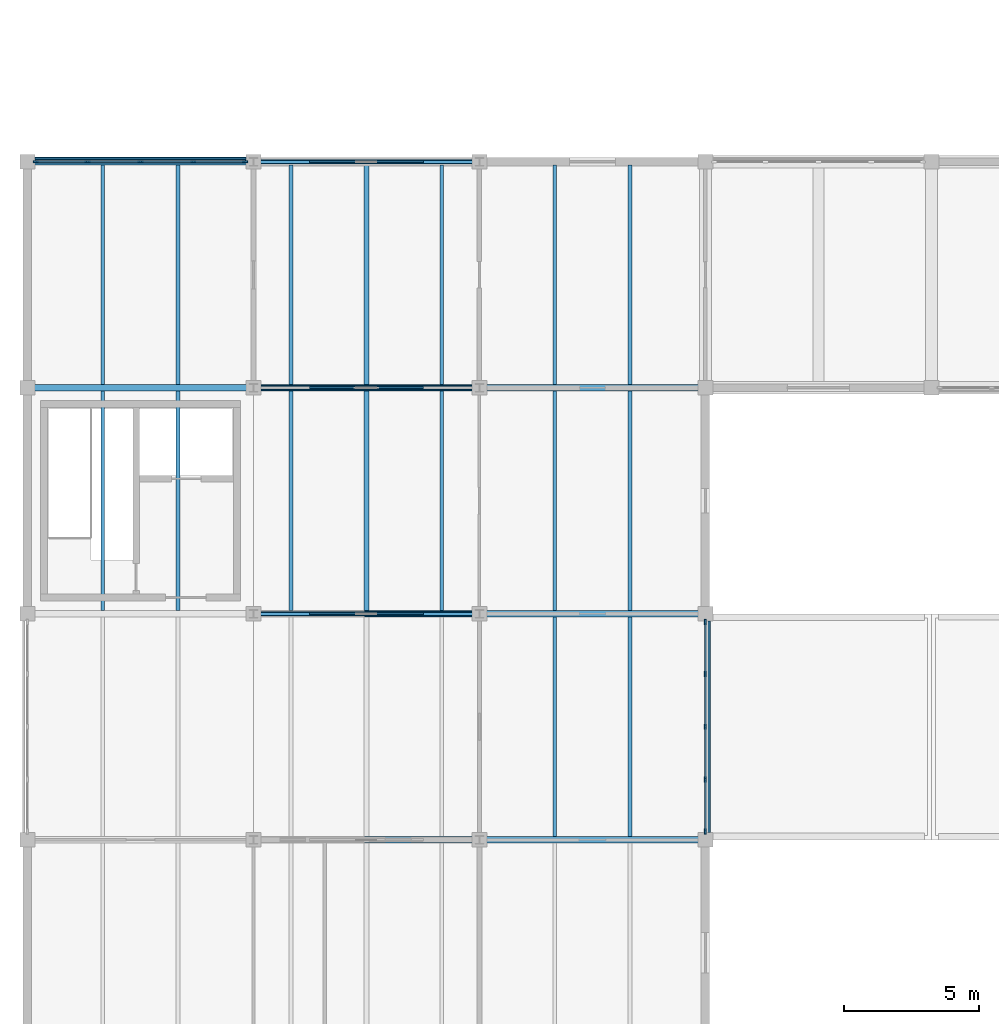
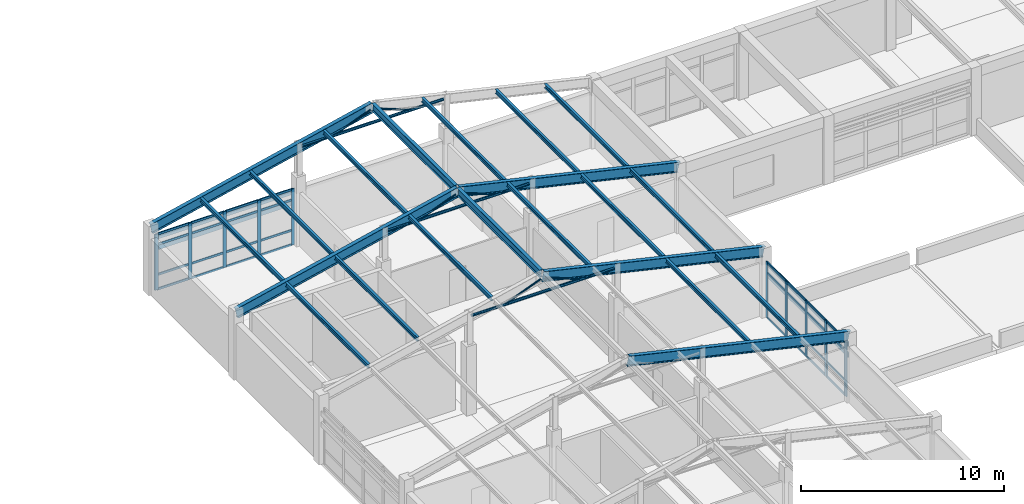
# One storey, part 6 of 40: 69 members, 7 beams, 2 elements without a shape of their own.
"""IFC4 building model written with IfcOpenShell, lengths in metres."""

from ifc_helpers import new_model, si_unit, direction, frame, origin, origin_2d, place, context, subcontext, project, spatial, rectangle, hollow_circle, i_section, extrude, material, layer, layer_set, material_profile, profile_set, type_object, element, aggregate, save


model = new_model("IFC4")

# Units and contexts
model_context = context("Model", 3, precision=1e-05, world=origin(), true_north=direction((0.0, 1.0)))
body_context = subcontext(model_context, "Body", "Model", "MODEL_VIEW")
ifc_project = project(units=[si_unit("LENGTHUNIT", "METRE"), si_unit("AREAUNIT", "SQUARE_METRE"), si_unit("VOLUMEUNIT", "CUBIC_METRE"), si_unit("PLANEANGLEUNIT", "RADIAN"), si_unit("MASSUNIT", "GRAM", prefix="KILO")], contexts=[model_context])

# Site, building, storey
site_placement = place(None, origin())
site = spatial("IfcSite", under=ifc_project, at=site_placement, CompositionType="ELEMENT")
building_placement = place(site_placement, origin())
building = spatial("IfcBuilding", under=site, at=building_placement, Name="Porcellanite Civic Hall", CompositionType="ELEMENT")
storey_placement = place(building_placement, frame((0.0, 0.0, 19.080078125)))
storey = spatial("IfcBuildingStorey", under=building, at=storey_placement, Name="L04", CompositionType="ELEMENT", Elevation=19.080078125)

# Members
ifc_material_1 = material(Name="Steel C350L0", Category="steel")
ifc_material_profile_1 = material_profile(ifc_material_1, hollow_circle(Radius=0.05712890625, WallThickness=0.006103515625, at=origin_2d()), Name="114.3x6.0CHS")
ifc_profile_set_1 = profile_set([ifc_material_profile_1], Name="Steel C350L0")
member_type_1 = type_object("IfcMemberType", Name="BRC-114CHS", PredefinedType="BRACE", material=ifc_profile_set_1)
for number, where, z_axis, x_axis, name in (
    (1, (18.89990234375, 58.800048828125, 5.7998046875), (0.931726918687, 0.0, 0.363159674239), (0.0, 1.0, 0.0), "Committee west web 7"),
    (2, (23.10009765625, 58.800048828125, 5.7998046875), (-0.931726918687, 0.0, 0.363159674239), (0.0, -1.0, 0.0), "Committee east web 7"),
    (3, (18.89990234375, 67.199951171875, 5.7998046875), (0.931726918687, 0.0, 0.363159674239), (0.0, 1.0, 0.0), "Committee west web 8"),
    (4, (23.10009765625, 67.199951171875, 5.7998046875), (-0.931726918687, 0.0, 0.363159674239), (0.0, -1.0, 0.0), "Committee east web 8"),
    (5, (18.89990234375, 75.60009765625, 5.7998046875), (0.931726918687, 0.0, 0.363159674239), (0.0, 1.0, 0.0), "Committee west web 9"),
    (6, (23.10009765625, 75.60009765625, 5.7998046875), (-0.931726918687, 0.0, 0.363159674239), (0.0, -1.0, 0.0), "Committee east web 9"),
):
    element("IfcMember", number, at=place(storey_placement, frame(where, z_axis=z_axis, x_axis=x_axis)), inside=storey, type_object=member_type_1, Name=name, PredefinedType="BRACE", context=body_context, shape_type="SweptSolid", body=[
        extrude(hollow_circle(Radius=0.05712890625, WallThickness=0.006103515625, at=origin_2d()), origin(), (0.0, 0.0, 1.0), 2.146484375),
    ])
ifc_material_2 = material(Name="Steel C350L0", Category="steel")
ifc_material_profile_2 = material_profile(ifc_material_2, hollow_circle(Radius=0.084228515625, WallThickness=0.007080078125, at=origin_2d()), Name="168.3x7.1CHS")
ifc_profile_set_2 = profile_set([ifc_material_profile_2], Name="Steel C350L0")
member_type_2 = type_object("IfcMemberType", Name="BRC-168CHS", PredefinedType="BRACE", material=ifc_profile_set_2)
for number, where, z_axis, x_axis, name in (
    (7, (16.949951171875, 58.800048828125, 5.759765625), (1.0, 0.0, 0.0), (0.0, 1.0, 0.0), "Committee collar tie 7"),
    (8, (16.949951171875, 67.199951171875, 5.759765625), (1.0, 0.0, 0.0), (0.0, 1.0, 0.0), "Committee collar tie 8"),
    (9, (16.949951171875, 75.60009765625, 5.759765625), (1.0, 0.0, 0.0), (0.0, 1.0, 0.0), "Committee collar tie 9"),
):
    element("IfcMember", number, at=place(storey_placement, frame(where, z_axis=z_axis, x_axis=x_axis)), inside=storey, type_object=member_type_2, Name=name, PredefinedType="BRACE", context=body_context, shape_type="SweptSolid", body=[
        extrude(hollow_circle(Radius=0.084228515625, WallThickness=0.007080078125, at=origin_2d()), origin(), (0.0, 0.0, 1.0), 8.10009765625),
    ])

# Curtain wall, members
ifc_material_3 = material(Name="Anodised aluminium and solar laminated glass", Category="aluminium")
ifc_layer = layer(ifc_material_3, 0.179931640625)
ifc_layer_set = layer_set([ifc_layer], Name="Anodised aluminium and solar laminated glass")
curtain_wall_type = type_object("IfcCurtainWallType", Name="CW-SYS05", PredefinedType="NOTDEFINED", material=ifc_layer_set)
curtain_wall_1_placement = place(storey_placement, origin())
curtain_wall_1 = element("IfcCurtainWall", 10, at=curtain_wall_1_placement, inside=storey, type_object=curtain_wall_type, Name="Curtain wall CW-231", PredefinedType="NOTDEFINED")
ifc_material_4 = material(Name="Anodised aluminium 6063-T6", Category="aluminium")
ifc_material_profile_3 = material_profile(ifc_material_4, rectangle(XDim=0.070068359375, YDim=0.199951171875, at=origin_2d()), Name="AL-70x200")
ifc_profile_set_3 = profile_set([ifc_material_profile_3], Name="Anodised aluminium 6063-T6")
member_type_3 = type_object("IfcMemberType", Name="CWM-05", PredefinedType="MULLION", material=ifc_profile_set_3)
member_1_placement = place(storey_placement, frame((8.7109375, 75.60009765625, 0.0), z_axis=(0.0, 0.0, 1.0), x_axis=(0.0, 1.0, 0.0)))
member_1 = element("IfcMember", 11, at=member_1_placement, type_object=member_type_3, Name="CW-231 mullion 1", PredefinedType="MULLION", context=body_context, shape_type="SweptSolid", body=[
    extrude(rectangle(XDim=0.070068359375, YDim=0.199951171875, at=origin_2d()), origin(), (0.0, 0.0, 1.0), 3.369873046875),
])
member_2_placement = place(storey_placement, frame((10.637939453125, 75.60009765625, 0.0), z_axis=(0.0, 0.0, 1.0), x_axis=(0.0, 1.0, 0.0)))
member_2 = element("IfcMember", 12, at=member_2_placement, type_object=member_type_3, Name="CW-231 mullion 2", PredefinedType="MULLION", context=body_context, shape_type="SweptSolid", body=[
    extrude(rectangle(XDim=0.070068359375, YDim=0.199951171875, at=origin_2d()), origin(), (0.0, 0.0, 1.0), 3.369873046875),
])
member_3_placement = place(storey_placement, frame((12.60009765625, 75.60009765625, 0.0), z_axis=(0.0, 0.0, 1.0), x_axis=(0.0, 1.0, 0.0)))
member_3 = element("IfcMember", 13, at=member_3_placement, type_object=member_type_3, Name="CW-231 mullion 3", PredefinedType="MULLION", context=body_context, shape_type="SweptSolid", body=[
    extrude(rectangle(XDim=0.070068359375, YDim=0.199951171875, at=origin_2d()), origin(), (0.0, 0.0, 1.0), 3.369873046875),
])
member_4_placement = place(storey_placement, frame((14.56201171875, 75.60009765625, 0.0), z_axis=(0.0, 0.0, 1.0), x_axis=(0.0, 1.0, 0.0)))
member_4 = element("IfcMember", 14, at=member_4_placement, type_object=member_type_3, Name="CW-231 mullion 4", PredefinedType="MULLION", context=body_context, shape_type="SweptSolid", body=[
    extrude(rectangle(XDim=0.070068359375, YDim=0.199951171875, at=origin_2d()), origin(), (0.0, 0.0, 1.0), 3.369873046875),
])
member_5_placement = place(storey_placement, frame((16.489013671875, 75.60009765625, 0.0), z_axis=(0.0, 0.0, 1.0), x_axis=(0.0, 1.0, 0.0)))
member_5 = element("IfcMember", 15, at=member_5_placement, type_object=member_type_3, Name="CW-231 mullion 5", PredefinedType="MULLION", context=body_context, shape_type="SweptSolid", body=[
    extrude(rectangle(XDim=0.070068359375, YDim=0.199951171875, at=origin_2d()), origin(), (0.0, 0.0, 1.0), 3.369873046875),
])

curtain_wall_2_placement = place(storey_placement, origin())
curtain_wall_2 = element("IfcCurtainWall", 16, at=curtain_wall_2_placement, inside=storey, type_object=curtain_wall_type, Name="Curtain wall CW-234", PredefinedType="NOTDEFINED")
member_6_placement = place(storey_placement, frame((33.60009765625, 58.489013671875, 0.0), z_axis=(0.0, 0.0, 1.0), x_axis=(1.0, 0.0, 0.0)))
member_6 = element("IfcMember", 17, at=member_6_placement, type_object=member_type_3, Name="CW-234 mullion 1", PredefinedType="MULLION", context=body_context, shape_type="SweptSolid", body=[
    extrude(rectangle(XDim=0.070068359375, YDim=0.199951171875, at=origin_2d()), origin(), (0.0, 0.0, 1.0), 3.369873046875),
])
member_7_placement = place(storey_placement, frame((33.60009765625, 56.56201171875, 0.0), z_axis=(0.0, 0.0, 1.0), x_axis=(1.0, 0.0, 0.0)))
member_7 = element("IfcMember", 18, at=member_7_placement, type_object=member_type_3, Name="CW-234 mullion 2", PredefinedType="MULLION", context=body_context, shape_type="SweptSolid", body=[
    extrude(rectangle(XDim=0.070068359375, YDim=0.199951171875, at=origin_2d()), origin(), (0.0, 0.0, 1.0), 3.369873046875),
])
member_8_placement = place(storey_placement, frame((33.60009765625, 54.60009765625, 0.0), z_axis=(0.0, 0.0, 1.0), x_axis=(1.0, 0.0, 0.0)))
member_8 = element("IfcMember", 19, at=member_8_placement, type_object=member_type_3, Name="CW-234 mullion 3", PredefinedType="MULLION", context=body_context, shape_type="SweptSolid", body=[
    extrude(rectangle(XDim=0.070068359375, YDim=0.199951171875, at=origin_2d()), origin(), (0.0, 0.0, 1.0), 3.369873046875),
])
member_9_placement = place(storey_placement, frame((33.60009765625, 52.637939453125, 0.0), z_axis=(0.0, 0.0, 1.0), x_axis=(1.0, 0.0, 0.0)))
member_9 = element("IfcMember", 20, at=member_9_placement, type_object=member_type_3, Name="CW-234 mullion 4", PredefinedType="MULLION", context=body_context, shape_type="SweptSolid", body=[
    extrude(rectangle(XDim=0.070068359375, YDim=0.199951171875, at=origin_2d()), origin(), (0.0, 0.0, 1.0), 3.369873046875),
])
member_10_placement = place(storey_placement, frame((33.60009765625, 50.7109375, 0.0), z_axis=(0.0, 0.0, 1.0), x_axis=(1.0, 0.0, 0.0)))
member_10 = element("IfcMember", 21, at=member_10_placement, type_object=member_type_3, Name="CW-234 mullion 5", PredefinedType="MULLION", context=body_context, shape_type="SweptSolid", body=[
    extrude(rectangle(XDim=0.070068359375, YDim=0.199951171875, at=origin_2d()), origin(), (0.0, 0.0, 1.0), 3.369873046875),
])

# Member
ifc_material_5 = material(Name="Anodised aluminium 6063-T6", Category="aluminium")
ifc_material_profile_4 = material_profile(ifc_material_5, rectangle(XDim=0.06005859375, YDim=0.1298828125, at=origin_2d()), Name="AL-60x130")
ifc_profile_set_4 = profile_set([ifc_material_profile_4], Name="Anodised aluminium 6063-T6")
member_type_4 = type_object("IfcMemberType", Name="CWT-03", PredefinedType="USERDEFINED", material=ifc_profile_set_4)
member_11_placement = place(storey_placement, frame((8.74609375, 75.60009765625, 0.030029296875), z_axis=(1.0, 0.0, 0.0), x_axis=(0.0, 1.0, 0.0)))
member_11 = element("IfcMember", 22, at=member_11_placement, type_object=member_type_4, Name="CW-231 transom 1.1", ObjectType="TRANSOM", PredefinedType="USERDEFINED", context=body_context, shape_type="SweptSolid", body=[
    extrude(rectangle(XDim=0.06005859375, YDim=0.1298828125, at=origin_2d()), origin(), (0.0, 0.0, 1.0), 1.85693359375),
])

member_12_placement = place(storey_placement, frame((8.74609375, 75.60009765625, 0.89990234375), z_axis=(1.0, 0.0, 0.0), x_axis=(0.0, 1.0, 0.0)))
member_12 = element("IfcMember", 23, at=member_12_placement, type_object=member_type_4, Name="CW-231 transom 1.2", ObjectType="TRANSOM", PredefinedType="USERDEFINED", context=body_context, shape_type="SweptSolid", body=[
    extrude(rectangle(XDim=0.06005859375, YDim=0.1298828125, at=origin_2d()), origin(), (0.0, 0.0, 1.0), 1.85693359375),
])

member_13_placement = place(storey_placement, frame((8.74609375, 75.60009765625, 2.719970703125), z_axis=(1.0, 0.0, 0.0), x_axis=(0.0, 1.0, 0.0)))
member_13 = element("IfcMember", 24, at=member_13_placement, type_object=member_type_4, Name="CW-231 transom 1.3", ObjectType="TRANSOM", PredefinedType="USERDEFINED", context=body_context, shape_type="SweptSolid", body=[
    extrude(rectangle(XDim=0.06005859375, YDim=0.1298828125, at=origin_2d()), origin(), (0.0, 0.0, 1.0), 1.85693359375),
])

member_14_placement = place(storey_placement, frame((8.74609375, 75.60009765625, 3.33984375), z_axis=(1.0, 0.0, 0.0), x_axis=(0.0, 1.0, 0.0)))
member_14 = element("IfcMember", 25, at=member_14_placement, type_object=member_type_4, Name="CW-231 transom 1.4", ObjectType="TRANSOM", PredefinedType="USERDEFINED", context=body_context, shape_type="SweptSolid", body=[
    extrude(rectangle(XDim=0.06005859375, YDim=0.1298828125, at=origin_2d()), origin(), (0.0, 0.0, 1.0), 1.85693359375),
])

member_15_placement = place(storey_placement, frame((10.673095703125, 75.60009765625, 0.030029296875), z_axis=(1.0, 0.0, 0.0), x_axis=(0.0, 1.0, 0.0)))
member_15 = element("IfcMember", 26, at=member_15_placement, type_object=member_type_4, Name="CW-231 transom 2.1", ObjectType="TRANSOM", PredefinedType="USERDEFINED", context=body_context, shape_type="SweptSolid", body=[
    extrude(rectangle(XDim=0.06005859375, YDim=0.1298828125, at=origin_2d()), origin(), (0.0, 0.0, 1.0), 1.891845703125),
])

member_16_placement = place(storey_placement, frame((10.673095703125, 75.60009765625, 0.89990234375), z_axis=(1.0, 0.0, 0.0), x_axis=(0.0, 1.0, 0.0)))
member_16 = element("IfcMember", 27, at=member_16_placement, type_object=member_type_4, Name="CW-231 transom 2.2", ObjectType="TRANSOM", PredefinedType="USERDEFINED", context=body_context, shape_type="SweptSolid", body=[
    extrude(rectangle(XDim=0.06005859375, YDim=0.1298828125, at=origin_2d()), origin(), (0.0, 0.0, 1.0), 1.891845703125),
])

member_17_placement = place(storey_placement, frame((10.673095703125, 75.60009765625, 2.719970703125), z_axis=(1.0, 0.0, 0.0), x_axis=(0.0, 1.0, 0.0)))
member_17 = element("IfcMember", 28, at=member_17_placement, type_object=member_type_4, Name="CW-231 transom 2.3", ObjectType="TRANSOM", PredefinedType="USERDEFINED", context=body_context, shape_type="SweptSolid", body=[
    extrude(rectangle(XDim=0.06005859375, YDim=0.1298828125, at=origin_2d()), origin(), (0.0, 0.0, 1.0), 1.891845703125),
])

member_18_placement = place(storey_placement, frame((10.673095703125, 75.60009765625, 3.33984375), z_axis=(1.0, 0.0, 0.0), x_axis=(0.0, 1.0, 0.0)))
member_18 = element("IfcMember", 29, at=member_18_placement, type_object=member_type_4, Name="CW-231 transom 2.4", ObjectType="TRANSOM", PredefinedType="USERDEFINED", context=body_context, shape_type="SweptSolid", body=[
    extrude(rectangle(XDim=0.06005859375, YDim=0.1298828125, at=origin_2d()), origin(), (0.0, 0.0, 1.0), 1.891845703125),
])

member_19_placement = place(storey_placement, frame((12.635009765625, 75.60009765625, 0.030029296875), z_axis=(1.0, 0.0, 0.0), x_axis=(0.0, 1.0, 0.0)))
member_19 = element("IfcMember", 30, at=member_19_placement, type_object=member_type_4, Name="CW-231 transom 3.1", ObjectType="TRANSOM", PredefinedType="USERDEFINED", context=body_context, shape_type="SweptSolid", body=[
    extrude(rectangle(XDim=0.06005859375, YDim=0.1298828125, at=origin_2d()), origin(), (0.0, 0.0, 1.0), 1.89208984375),
])

member_20_placement = place(storey_placement, frame((12.635009765625, 75.60009765625, 0.89990234375), z_axis=(1.0, 0.0, 0.0), x_axis=(0.0, 1.0, 0.0)))
member_20 = element("IfcMember", 31, at=member_20_placement, type_object=member_type_4, Name="CW-231 transom 3.2", ObjectType="TRANSOM", PredefinedType="USERDEFINED", context=body_context, shape_type="SweptSolid", body=[
    extrude(rectangle(XDim=0.06005859375, YDim=0.1298828125, at=origin_2d()), origin(), (0.0, 0.0, 1.0), 1.89208984375),
])

member_21_placement = place(storey_placement, frame((12.635009765625, 75.60009765625, 2.719970703125), z_axis=(1.0, 0.0, 0.0), x_axis=(0.0, 1.0, 0.0)))
member_21 = element("IfcMember", 32, at=member_21_placement, type_object=member_type_4, Name="CW-231 transom 3.3", ObjectType="TRANSOM", PredefinedType="USERDEFINED", context=body_context, shape_type="SweptSolid", body=[
    extrude(rectangle(XDim=0.06005859375, YDim=0.1298828125, at=origin_2d()), origin(), (0.0, 0.0, 1.0), 1.89208984375),
])

member_22_placement = place(storey_placement, frame((12.635009765625, 75.60009765625, 3.33984375), z_axis=(1.0, 0.0, 0.0), x_axis=(0.0, 1.0, 0.0)))
member_22 = element("IfcMember", 33, at=member_22_placement, type_object=member_type_4, Name="CW-231 transom 3.4", ObjectType="TRANSOM", PredefinedType="USERDEFINED", context=body_context, shape_type="SweptSolid", body=[
    extrude(rectangle(XDim=0.06005859375, YDim=0.1298828125, at=origin_2d()), origin(), (0.0, 0.0, 1.0), 1.89208984375),
])

member_23_placement = place(storey_placement, frame((14.596923828125, 75.60009765625, 0.030029296875), z_axis=(1.0, 0.0, 0.0), x_axis=(0.0, 1.0, 0.0)))
member_23 = element("IfcMember", 34, at=member_23_placement, type_object=member_type_4, Name="CW-231 transom 4.1", ObjectType="TRANSOM", PredefinedType="USERDEFINED", context=body_context, shape_type="SweptSolid", body=[
    extrude(rectangle(XDim=0.06005859375, YDim=0.1298828125, at=origin_2d()), origin(), (0.0, 0.0, 1.0), 1.857177734375),
])

member_24_placement = place(storey_placement, frame((14.596923828125, 75.60009765625, 0.89990234375), z_axis=(1.0, 0.0, 0.0), x_axis=(0.0, 1.0, 0.0)))
member_24 = element("IfcMember", 35, at=member_24_placement, type_object=member_type_4, Name="CW-231 transom 4.2", ObjectType="TRANSOM", PredefinedType="USERDEFINED", context=body_context, shape_type="SweptSolid", body=[
    extrude(rectangle(XDim=0.06005859375, YDim=0.1298828125, at=origin_2d()), origin(), (0.0, 0.0, 1.0), 1.857177734375),
])

member_25_placement = place(storey_placement, frame((14.596923828125, 75.60009765625, 2.719970703125), z_axis=(1.0, 0.0, 0.0), x_axis=(0.0, 1.0, 0.0)))
member_25 = element("IfcMember", 36, at=member_25_placement, type_object=member_type_4, Name="CW-231 transom 4.3", ObjectType="TRANSOM", PredefinedType="USERDEFINED", context=body_context, shape_type="SweptSolid", body=[
    extrude(rectangle(XDim=0.06005859375, YDim=0.1298828125, at=origin_2d()), origin(), (0.0, 0.0, 1.0), 1.857177734375),
])

member_26_placement = place(storey_placement, frame((14.596923828125, 75.60009765625, 3.33984375), z_axis=(1.0, 0.0, 0.0), x_axis=(0.0, 1.0, 0.0)))
member_26 = element("IfcMember", 37, at=member_26_placement, type_object=member_type_4, Name="CW-231 transom 4.4", ObjectType="TRANSOM", PredefinedType="USERDEFINED", context=body_context, shape_type="SweptSolid", body=[
    extrude(rectangle(XDim=0.06005859375, YDim=0.1298828125, at=origin_2d()), origin(), (0.0, 0.0, 1.0), 1.857177734375),
])

aggregate(curtain_wall_1, [member_1, member_2, member_3, member_4, member_5, member_11, member_12, member_13, member_14, member_15, member_16, member_17, member_18, member_19, member_20, member_21, member_22, member_23, member_24, member_25, member_26])

member_27_placement = place(storey_placement, frame((33.60009765625, 58.4541015625, 0.030029296875), z_axis=(0.0, -1.0, 0.0), x_axis=(1.0, 0.0, 0.0)))
member_27 = element("IfcMember", 38, at=member_27_placement, type_object=member_type_4, Name="CW-234 transom 1.1", ObjectType="TRANSOM", PredefinedType="USERDEFINED", context=body_context, shape_type="SweptSolid", body=[
    extrude(rectangle(XDim=0.06005859375, YDim=0.1298828125, at=origin_2d()), origin(), (0.0, 0.0, 1.0), 1.857177734375),
])

member_28_placement = place(storey_placement, frame((33.60009765625, 58.4541015625, 0.89990234375), z_axis=(0.0, -1.0, 0.0), x_axis=(1.0, 0.0, 0.0)))
member_28 = element("IfcMember", 39, at=member_28_placement, type_object=member_type_4, Name="CW-234 transom 1.2", ObjectType="TRANSOM", PredefinedType="USERDEFINED", context=body_context, shape_type="SweptSolid", body=[
    extrude(rectangle(XDim=0.06005859375, YDim=0.1298828125, at=origin_2d()), origin(), (0.0, 0.0, 1.0), 1.857177734375),
])

member_29_placement = place(storey_placement, frame((33.60009765625, 58.4541015625, 2.719970703125), z_axis=(0.0, -1.0, 0.0), x_axis=(1.0, 0.0, 0.0)))
member_29 = element("IfcMember", 40, at=member_29_placement, type_object=member_type_4, Name="CW-234 transom 1.3", ObjectType="TRANSOM", PredefinedType="USERDEFINED", context=body_context, shape_type="SweptSolid", body=[
    extrude(rectangle(XDim=0.06005859375, YDim=0.1298828125, at=origin_2d()), origin(), (0.0, 0.0, 1.0), 1.857177734375),
])

member_30_placement = place(storey_placement, frame((33.60009765625, 58.4541015625, 3.33984375), z_axis=(0.0, -1.0, 0.0), x_axis=(1.0, 0.0, 0.0)))
member_30 = element("IfcMember", 41, at=member_30_placement, type_object=member_type_4, Name="CW-234 transom 1.4", ObjectType="TRANSOM", PredefinedType="USERDEFINED", context=body_context, shape_type="SweptSolid", body=[
    extrude(rectangle(XDim=0.06005859375, YDim=0.1298828125, at=origin_2d()), origin(), (0.0, 0.0, 1.0), 1.857177734375),
])

member_31_placement = place(storey_placement, frame((33.60009765625, 56.527099609375, 0.030029296875), z_axis=(0.0, -1.0, 0.0), x_axis=(1.0, 0.0, 0.0)))
member_31 = element("IfcMember", 42, at=member_31_placement, type_object=member_type_4, Name="CW-234 transom 2.1", ObjectType="TRANSOM", PredefinedType="USERDEFINED", context=body_context, shape_type="SweptSolid", body=[
    extrude(rectangle(XDim=0.06005859375, YDim=0.1298828125, at=origin_2d()), origin(), (0.0, 0.0, 1.0), 1.89208984375),
])

member_32_placement = place(storey_placement, frame((33.60009765625, 56.527099609375, 0.89990234375), z_axis=(0.0, -1.0, 0.0), x_axis=(1.0, 0.0, 0.0)))
member_32 = element("IfcMember", 43, at=member_32_placement, type_object=member_type_4, Name="CW-234 transom 2.2", ObjectType="TRANSOM", PredefinedType="USERDEFINED", context=body_context, shape_type="SweptSolid", body=[
    extrude(rectangle(XDim=0.06005859375, YDim=0.1298828125, at=origin_2d()), origin(), (0.0, 0.0, 1.0), 1.89208984375),
])

member_33_placement = place(storey_placement, frame((33.60009765625, 56.527099609375, 2.719970703125), z_axis=(0.0, -1.0, 0.0), x_axis=(1.0, 0.0, 0.0)))
member_33 = element("IfcMember", 44, at=member_33_placement, type_object=member_type_4, Name="CW-234 transom 2.3", ObjectType="TRANSOM", PredefinedType="USERDEFINED", context=body_context, shape_type="SweptSolid", body=[
    extrude(rectangle(XDim=0.06005859375, YDim=0.1298828125, at=origin_2d()), origin(), (0.0, 0.0, 1.0), 1.89208984375),
])

member_34_placement = place(storey_placement, frame((33.60009765625, 56.527099609375, 3.33984375), z_axis=(0.0, -1.0, 0.0), x_axis=(1.0, 0.0, 0.0)))
member_34 = element("IfcMember", 45, at=member_34_placement, type_object=member_type_4, Name="CW-234 transom 2.4", ObjectType="TRANSOM", PredefinedType="USERDEFINED", context=body_context, shape_type="SweptSolid", body=[
    extrude(rectangle(XDim=0.06005859375, YDim=0.1298828125, at=origin_2d()), origin(), (0.0, 0.0, 1.0), 1.89208984375),
])

member_35_placement = place(storey_placement, frame((33.60009765625, 54.56494140625, 0.030029296875), z_axis=(0.0, -1.0, 0.0), x_axis=(1.0, 0.0, 0.0)))
member_35 = element("IfcMember", 46, at=member_35_placement, type_object=member_type_4, Name="CW-234 transom 3.1", ObjectType="TRANSOM", PredefinedType="USERDEFINED", context=body_context, shape_type="SweptSolid", body=[
    extrude(rectangle(XDim=0.06005859375, YDim=0.1298828125, at=origin_2d()), origin(), (0.0, 0.0, 1.0), 1.891845703125),
])

member_36_placement = place(storey_placement, frame((33.60009765625, 54.56494140625, 0.89990234375), z_axis=(0.0, -1.0, 0.0), x_axis=(1.0, 0.0, 0.0)))
member_36 = element("IfcMember", 47, at=member_36_placement, type_object=member_type_4, Name="CW-234 transom 3.2", ObjectType="TRANSOM", PredefinedType="USERDEFINED", context=body_context, shape_type="SweptSolid", body=[
    extrude(rectangle(XDim=0.06005859375, YDim=0.1298828125, at=origin_2d()), origin(), (0.0, 0.0, 1.0), 1.891845703125),
])

member_37_placement = place(storey_placement, frame((33.60009765625, 54.56494140625, 2.719970703125), z_axis=(0.0, -1.0, 0.0), x_axis=(1.0, 0.0, 0.0)))
member_37 = element("IfcMember", 48, at=member_37_placement, type_object=member_type_4, Name="CW-234 transom 3.3", ObjectType="TRANSOM", PredefinedType="USERDEFINED", context=body_context, shape_type="SweptSolid", body=[
    extrude(rectangle(XDim=0.06005859375, YDim=0.1298828125, at=origin_2d()), origin(), (0.0, 0.0, 1.0), 1.891845703125),
])

member_38_placement = place(storey_placement, frame((33.60009765625, 54.56494140625, 3.33984375), z_axis=(0.0, -1.0, 0.0), x_axis=(1.0, 0.0, 0.0)))
member_38 = element("IfcMember", 49, at=member_38_placement, type_object=member_type_4, Name="CW-234 transom 3.4", ObjectType="TRANSOM", PredefinedType="USERDEFINED", context=body_context, shape_type="SweptSolid", body=[
    extrude(rectangle(XDim=0.06005859375, YDim=0.1298828125, at=origin_2d()), origin(), (0.0, 0.0, 1.0), 1.891845703125),
])

member_39_placement = place(storey_placement, frame((33.60009765625, 52.60302734375, 0.030029296875), z_axis=(0.0, -1.0, 0.0), x_axis=(1.0, 0.0, 0.0)))
member_39 = element("IfcMember", 50, at=member_39_placement, type_object=member_type_4, Name="CW-234 transom 4.1", ObjectType="TRANSOM", PredefinedType="USERDEFINED", context=body_context, shape_type="SweptSolid", body=[
    extrude(rectangle(XDim=0.06005859375, YDim=0.1298828125, at=origin_2d()), origin(), (0.0, 0.0, 1.0), 1.85693359375),
])

member_40_placement = place(storey_placement, frame((33.60009765625, 52.60302734375, 0.89990234375), z_axis=(0.0, -1.0, 0.0), x_axis=(1.0, 0.0, 0.0)))
member_40 = element("IfcMember", 51, at=member_40_placement, type_object=member_type_4, Name="CW-234 transom 4.2", ObjectType="TRANSOM", PredefinedType="USERDEFINED", context=body_context, shape_type="SweptSolid", body=[
    extrude(rectangle(XDim=0.06005859375, YDim=0.1298828125, at=origin_2d()), origin(), (0.0, 0.0, 1.0), 1.85693359375),
])

member_41_placement = place(storey_placement, frame((33.60009765625, 52.60302734375, 2.719970703125), z_axis=(0.0, -1.0, 0.0), x_axis=(1.0, 0.0, 0.0)))
member_41 = element("IfcMember", 52, at=member_41_placement, type_object=member_type_4, Name="CW-234 transom 4.3", ObjectType="TRANSOM", PredefinedType="USERDEFINED", context=body_context, shape_type="SweptSolid", body=[
    extrude(rectangle(XDim=0.06005859375, YDim=0.1298828125, at=origin_2d()), origin(), (0.0, 0.0, 1.0), 1.85693359375),
])

member_42_placement = place(storey_placement, frame((33.60009765625, 52.60302734375, 3.33984375), z_axis=(0.0, -1.0, 0.0), x_axis=(1.0, 0.0, 0.0)))
member_42 = element("IfcMember", 53, at=member_42_placement, type_object=member_type_4, Name="CW-234 transom 4.4", ObjectType="TRANSOM", PredefinedType="USERDEFINED", context=body_context, shape_type="SweptSolid", body=[
    extrude(rectangle(XDim=0.06005859375, YDim=0.1298828125, at=origin_2d()), origin(), (0.0, 0.0, 1.0), 1.85693359375),
])

aggregate(curtain_wall_2, [member_6, member_7, member_8, member_9, member_10, member_27, member_28, member_29, member_30, member_31, member_32, member_33, member_34, member_35, member_36, member_37, member_38, member_39, member_40, member_41, member_42])

# Members
ifc_material_6 = material(Name="Fluoropolymer bauxite-red aluminium 6063-T6", Category="aluminium")
ifc_material_profile_5 = material_profile(ifc_material_6, rectangle(XDim=0.070068359375, YDim=0.280029296875, at=origin_2d()), Name="AL-70x280")
ifc_profile_set_5 = profile_set([ifc_material_profile_5], Name="Fluoropolymer bauxite-red aluminium 6063-T6")
member_type_5 = type_object("IfcMemberType", Name="LV-BLD05", PredefinedType="USERDEFINED", material=ifc_profile_set_5)
for number, where, z_axis, x_axis, name in (
    (54, (8.674560546875, 75.737060546875, 3.06982421875), (1.0, 0.0, 0.0), (0.0, 1.0, 0.0), "Cyclone sunshade louvre L04 N 1-8 1"),
    (55, (8.674560546875, 75.737060546875, 2.419921875), (1.0, 0.0, 0.0), (0.0, 1.0, 0.0), "Cyclone sunshade louvre L04 N 1-8 2"),
    (56, (33.737060546875, 58.525390625, 3.06982421875), (0.0, -1.0, 0.0), (1.0, 0.0, 0.0), "Cyclone sunshade louvre L04 E 3-6 1"),
    (57, (33.737060546875, 58.525390625, 2.419921875), (0.0, -1.0, 0.0), (1.0, 0.0, 0.0), "Cyclone sunshade louvre L04 E 3-6 2"),
):
    element("IfcMember", number, at=place(storey_placement, frame(where, z_axis=z_axis, x_axis=x_axis)), inside=storey, type_object=member_type_5, Name=name, ObjectType="LOUVRE BLADE", PredefinedType="USERDEFINED", context=body_context, shape_type="SweptSolid", body=[
        extrude(rectangle(XDim=0.070068359375, YDim=0.280029296875, at=origin_2d()), origin(), (0.0, 0.0, 1.0), 7.850830078125),
    ])
ifc_material_7 = material(Name="Steel Grade 350", Category="steel")
ifc_material_profile_6 = material_profile(ifc_material_7, i_section(OverallWidth=0.14599609375, OverallDepth=0.251953125, WebThickness=0.006103515625, FlangeThickness=0.008544921875, FilletRadius=0.0087890625, at=origin_2d()), Name="250UB31.4")
ifc_profile_set_6 = profile_set([ifc_material_profile_6], Name="Steel Grade 350")
member_type_6 = type_object("IfcMemberType", Name="PUR-250UB31", PredefinedType="PURLIN", material=ifc_profile_set_6)
for number, where, z_axis, x_axis, name in (
    (58, (28.0, 50.513916015625, 5.286376953125), (0.0, 1.0, 0.0), (-1.0, 0.0, 0.0), "Committee roof purlin 6 28.0"),
    (59, (30.800048828125, 50.513916015625, 4.639892578125), (0.0, 1.0, 0.0), (-1.0, 0.0, 0.0), "Committee roof purlin 6 30.8"),
):
    element("IfcMember", number, at=place(storey_placement, frame(where, z_axis=z_axis, x_axis=x_axis)), inside=storey, type_object=member_type_6, Name=name, PredefinedType="PURLIN", context=body_context, shape_type="SweptSolid", body=[
        extrude(i_section(OverallWidth=0.14599609375, OverallDepth=0.251953125, WebThickness=0.006103515625, FlangeThickness=0.008544921875, FilletRadius=0.0087890625, at=origin_2d()), origin(), (0.0, 0.0, 1.0), 8.172119140625),
    ])
for number, where, z_axis, x_axis, name in (
    (60, (11.199951171875, 58.9140625, 4.639892578125), (0.0, 1.0, 0.0), (-1.0, 0.0, 0.0), "Committee roof purlin 7 11.2"),
    (61, (14.0, 58.9140625, 5.286376953125), (0.0, 1.0, 0.0), (-1.0, 0.0, 0.0), "Committee roof purlin 7 14.0"),
    (62, (18.199951171875, 58.9140625, 6.255859375), (0.0, 1.0, 0.0), (-1.0, 0.0, 0.0), "Committee roof purlin 7 18.2"),
    (63, (23.800048828125, 58.9140625, 6.255859375), (0.0, 1.0, 0.0), (-1.0, 0.0, 0.0), "Committee roof purlin 7 23.8"),
    (64, (28.0, 58.9140625, 5.286376953125), (0.0, 1.0, 0.0), (-1.0, 0.0, 0.0), "Committee roof purlin 7 28.0"),
    (65, (30.800048828125, 58.9140625, 4.639892578125), (0.0, 1.0, 0.0), (-1.0, 0.0, 0.0), "Committee roof purlin 7 30.8"),
):
    element("IfcMember", number, at=place(storey_placement, frame(where, z_axis=z_axis, x_axis=x_axis)), inside=storey, type_object=member_type_6, Name=name, PredefinedType="PURLIN", context=body_context, shape_type="SweptSolid", body=[
        extrude(i_section(OverallWidth=0.14599609375, OverallDepth=0.251953125, WebThickness=0.006103515625, FlangeThickness=0.008544921875, FilletRadius=0.0087890625, at=origin_2d()), origin(), (0.0, 0.0, 1.0), 8.171875),
    ])
for number, where, z_axis, x_axis, name in (
    (66, (11.199951171875, 67.31396484375, 4.639892578125), (0.0, 1.0, 0.0), (-1.0, 0.0, 0.0), "Committee roof purlin 8 11.2"),
    (67, (14.0, 67.31396484375, 5.286376953125), (0.0, 1.0, 0.0), (-1.0, 0.0, 0.0), "Committee roof purlin 8 14.0"),
    (68, (18.199951171875, 67.31396484375, 6.255859375), (0.0, 1.0, 0.0), (-1.0, 0.0, 0.0), "Committee roof purlin 8 18.2"),
    (69, (23.800048828125, 67.31396484375, 6.255859375), (0.0, 1.0, 0.0), (-1.0, 0.0, 0.0), "Committee roof purlin 8 23.8"),
    (70, (28.0, 67.31396484375, 5.286376953125), (0.0, 1.0, 0.0), (-1.0, 0.0, 0.0), "Committee roof purlin 8 28.0"),
    (71, (30.800048828125, 67.31396484375, 4.639892578125), (0.0, 1.0, 0.0), (-1.0, 0.0, 0.0), "Committee roof purlin 8 30.8"),
):
    element("IfcMember", number, at=place(storey_placement, frame(where, z_axis=z_axis, x_axis=x_axis)), inside=storey, type_object=member_type_6, Name=name, PredefinedType="PURLIN", context=body_context, shape_type="SweptSolid", body=[
        extrude(i_section(OverallWidth=0.14599609375, OverallDepth=0.251953125, WebThickness=0.006103515625, FlangeThickness=0.008544921875, FilletRadius=0.0087890625, at=origin_2d()), origin(), (0.0, 0.0, 1.0), 8.172119140625),
    ])

# Beams
ifc_material_8 = material(Name="Steel Grade 350", Category="steel")
ifc_material_profile_7 = material_profile(ifc_material_8, i_section(OverallWidth=0.19091796875, OverallDepth=0.4599609375, WebThickness=0.010009765625, FlangeThickness=0.01611328125, FilletRadius=0.011474609375, at=origin_2d()), Name="460UB82.1")
ifc_profile_set_7 = profile_set([ifc_material_profile_7], Name="Steel Grade 350")
beam_type_1 = type_object("IfcBeamType", Name="RAF-460UB82", PredefinedType="BEAM", material=ifc_profile_set_7)
beam_1_placement = place(storey_placement, frame((21.0, 58.9140625, 6.79150390625), z_axis=(0.0, 1.0, 0.0), x_axis=(-1.0, 0.0, 0.0)))
element("IfcBeam", 72, at=beam_1_placement, inside=storey, type_object=beam_type_1, Name="Committee ridge beam 7", PredefinedType="BEAM", context=body_context, shape_type="SweptSolid", body=[
    extrude(i_section(OverallWidth=0.19091796875, OverallDepth=0.4599609375, WebThickness=0.010009765625, FlangeThickness=0.01611328125, FilletRadius=0.011474609375, at=origin_2d()), origin(), (0.0, 0.0, 1.0), 8.171875),
])
beam_2_placement = place(storey_placement, frame((21.0, 67.31396484375, 6.79150390625), z_axis=(0.0, 1.0, 0.0), x_axis=(-1.0, 0.0, 0.0)))
element("IfcBeam", 73, at=beam_2_placement, inside=storey, type_object=beam_type_1, Name="Committee ridge beam 8", PredefinedType="BEAM", context=body_context, shape_type="SweptSolid", body=[
    extrude(i_section(OverallWidth=0.19091796875, OverallDepth=0.4599609375, WebThickness=0.010009765625, FlangeThickness=0.01611328125, FilletRadius=0.011474609375, at=origin_2d()), origin(), (0.0, 0.0, 1.0), 8.172119140625),
])
ifc_material_9 = material(Name="Steel Grade 350", Category="steel")
ifc_material_profile_8 = material_profile(ifc_material_9, i_section(OverallWidth=0.22802734375, OverallDepth=0.60205078125, WebThickness=0.010498046875, FlangeThickness=0.014892578125, FilletRadius=0.013916015625, at=origin_2d()), Name="610UB101")
ifc_profile_set_8 = profile_set([ifc_material_profile_8], Name="Steel Grade 350")
beam_type_2 = type_object("IfcBeamType", Name="RAF-610UB101", PredefinedType="BEAM", material=ifc_profile_set_8)
for number, where, z_axis, x_axis, name in (
    (74, (21.0, 50.39990234375, 6.729248046875), (0.974370508985, 0.0, -0.224949130296), (0.0, 1.0, 0.0), "Committee east rafter 6"),
    (75, (21.0, 58.800048828125, 6.729248046875), (0.974370508985, 0.0, -0.224949130296), (0.0, 1.0, 0.0), "Committee east rafter 7"),
    (76, (8.39990234375, 67.199951171875, 3.8203125), (0.974370508985, 0.0, 0.224949130296), (0.0, 1.0, 0.0), "Committee west rafter 8"),
    (77, (21.0, 67.199951171875, 6.729248046875), (0.974370508985, 0.0, -0.224949130296), (0.0, 1.0, 0.0), "Committee east rafter 8"),
    (78, (8.39990234375, 75.60009765625, 3.8203125), (0.974370508985, 0.0, 0.224949130296), (0.0, 1.0, 0.0), "Committee west rafter 9"),
):
    element("IfcBeam", number, at=place(storey_placement, frame(where, z_axis=z_axis, x_axis=x_axis)), inside=storey, type_object=beam_type_2, Name=name, PredefinedType="BEAM", context=body_context, shape_type="SweptSolid", body=[
        extrude(i_section(OverallWidth=0.22802734375, OverallDepth=0.60205078125, WebThickness=0.010498046875, FlangeThickness=0.014892578125, FilletRadius=0.013916015625, at=origin_2d()), origin(), (0.0, 0.0, 1.0), 12.931640625),
    ])

save(model, "model.ifc")
